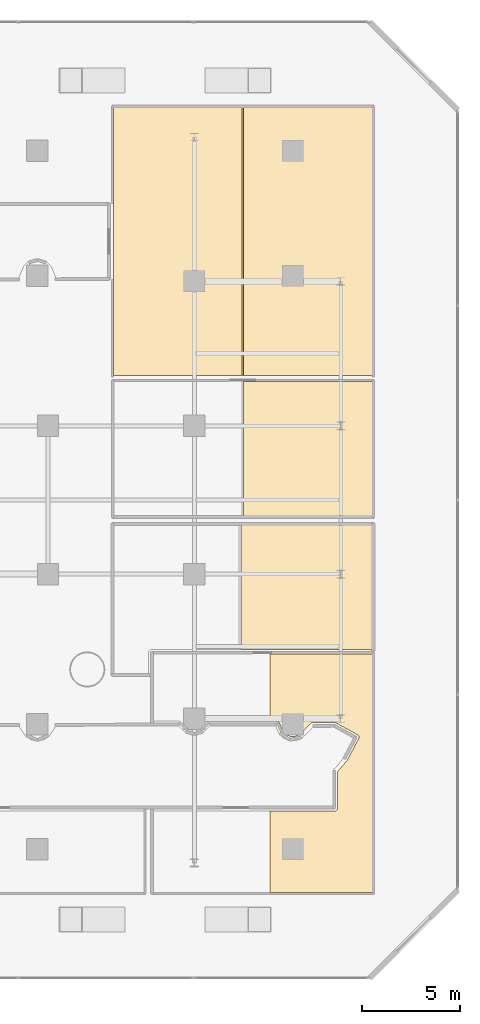
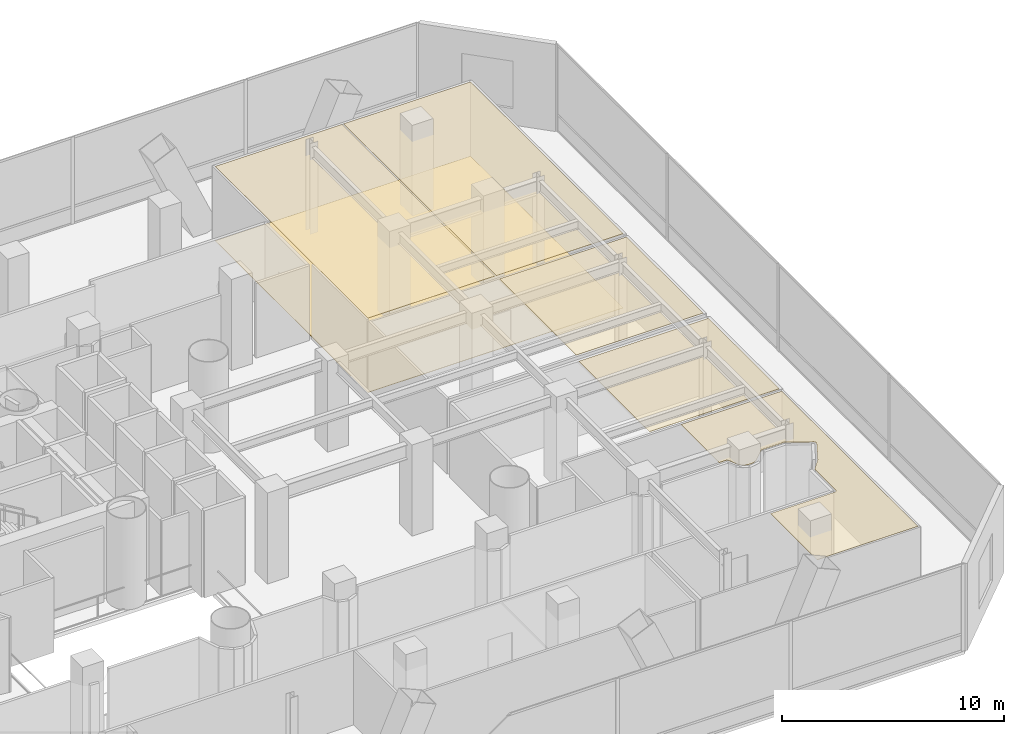
# One storey, part 42 of 42: 6 coverings.
"""IFC4 building model written with IfcOpenShell, lengths in metres."""

import ifcopenshell
import ifcopenshell.guid

model = None  # the IFC model being written
_history = None  # IfcOwnerHistory: only IFC2X3 demands one
_inside = {}  # id of a spatial element -> (the spatial element, [elements in it])
_under = {}  # id of a project, library or spatial element -> (it, [spatial elements below it])
_declared = {}  # id of a project -> (the project, [libraries it declares])
_typed = {}  # id of a type object -> (the type object, [elements of that type])
_made_of = {}  # id of a material, layer set ... -> (it, [elements and type objects made of it])


def new_model(schema):
    """Start an empty IFC model of exactly this schema.

    Asked for "IFC4X3", IfcOpenShell would pick the latest addendum, in which some entities
    have other attributes; the version numbers below select the first issue.
    IFC2X3 requires an IfcOwnerHistory on every rooted entity: one is made here for all.
    """
    global model, _history
    if schema == "IFC4X3":
        model = ifcopenshell.file(schema_version=(4, 3, 0, 0))
    else:
        model = ifcopenshell.file(schema=schema)
    _inside.clear()
    _under.clear()
    _declared.clear()
    _typed.clear()
    _made_of.clear()
    _history = None
    if model.schema == "IFC2X3":
        org = make("IfcOrganization", Name="unknown")
        user = make(
            "IfcPersonAndOrganization",
            ThePerson=make("IfcPerson", FamilyName="unknown"),
            TheOrganization=org,
        )
        app = make(
            "IfcApplication",
            ApplicationDeveloper=org,
            Version="unknown",
            ApplicationFullName="unknown",
            ApplicationIdentifier="unknown",
        )
        _history = make(
            "IfcOwnerHistory",
            OwningUser=user,
            OwningApplication=app,
            ChangeAction="ADDED",
            CreationDate=0,
        )
    return model


def make(cls, **values):
    """One entity of the class cls with the attributes given. An attribute that is None is left unset."""
    return model.create_entity(
        cls, **{name: value for name, value in values.items() if value is not None}
    )


def rooted(cls, **values):
    """An entity with a GlobalId (a new one), such as an element, a storey or a relation."""
    return make(cls, GlobalId=ifcopenshell.guid.new(), OwnerHistory=_history, **values)


def si_unit(unit_type, name, prefix=None):
    """IfcSIUnit, for example si_unit("LENGTHUNIT", "METRE", prefix="MILLI")."""
    return make("IfcSIUnit", UnitType=unit_type, Prefix=prefix, Name=name)


def assignment(units):
    """IfcUnitAssignment: the units of a project."""
    return None if units is None else make("IfcUnitAssignment", Units=units)


def point(xyz):
    """IfcCartesianPoint."""
    return None if xyz is None else make("IfcCartesianPoint", Coordinates=xyz)


def direction(xyz):
    """IfcDirection."""
    return None if xyz is None else make("IfcDirection", DirectionRatios=xyz)


def frame(location, z_axis=None, x_axis=None):
    """IfcAxis2Placement3D, a coordinate frame: its origin and axes. An axis left out is left unset."""
    return make(
        "IfcAxis2Placement3D",
        Location=point(location),
        Axis=direction(z_axis),
        RefDirection=direction(x_axis),
    )


def origin():
    """The frame at (0, 0, 0) with its axes left unset."""
    return frame((0.0, 0.0, 0.0))


def place(relative_to, where):
    """IfcLocalPlacement: puts the frame where relative to a parent placement (None: the world)."""
    return make(
        "IfcLocalPlacement", PlacementRelTo=relative_to, RelativePlacement=where
    )


def context(
    kind, dimensions, precision=None, world=None, true_north=None, identifier=None
):
    """IfcGeometricRepresentationContext, for example the 3D "Model" context."""
    return make(
        "IfcGeometricRepresentationContext",
        ContextIdentifier=identifier,
        ContextType=kind,
        CoordinateSpaceDimension=dimensions,
        Precision=precision,
        WorldCoordinateSystem=world,
        TrueNorth=true_north,
    )


def subcontext(parent, identifier, kind, view, scale=None):
    """IfcGeometricRepresentationSubContext, for example "Body" below "Model"."""
    return make(
        "IfcGeometricRepresentationSubContext",
        ContextIdentifier=identifier,
        ContextType=kind,
        ParentContext=parent,
        TargetScale=scale,
        TargetView=view,
    )


def project(units=None, contexts=None):
    """IfcProject with its units and contexts."""
    return rooted(
        "IfcProject",
        Name="project",
        RepresentationContexts=contexts,
        UnitsInContext=assignment(units),
    )


def spatial(cls, under=None, at=None, **own):
    """A site, building, storey or space (cls), placed at a placement, below another one or the project."""
    s = rooted(cls, ObjectPlacement=at, **own)
    if under is not None:
        _under.setdefault(under.id(), (under, []))[1].append(s)
    return s


def polyline(points):
    """IfcPolyline through the points."""
    return make("IfcPolyline", Points=[point(p) for p in points])


def outline(outer, holes=None, kind="AREA"):
    """IfcArbitraryClosedProfileDef: a profile drawn as a closed curve; with holes, ...WithVoids."""
    if holes is None:
        return make("IfcArbitraryClosedProfileDef", ProfileType=kind, OuterCurve=outer)
    return make(
        "IfcArbitraryProfileDefWithVoids",
        ProfileType=kind,
        OuterCurve=outer,
        InnerCurves=holes,
    )


def extrude(swept, where, along, depth):
    """IfcExtrudedAreaSolid: the profile swept, set in the frame where, extruded along a direction by depth."""
    return make(
        "IfcExtrudedAreaSolid",
        SweptArea=swept,
        Position=where,
        ExtrudedDirection=direction(along),
        Depth=depth,
    )


def shape(context_of_items, identifier, shape_type, items):
    """IfcShapeRepresentation: the items that make up one representation, for example the "Body"."""
    return make(
        "IfcShapeRepresentation",
        ContextOfItems=context_of_items,
        RepresentationIdentifier=identifier,
        RepresentationType=shape_type,
        Items=items,
    )


def material(Name=None, Category=None):
    """IfcMaterial."""
    return make("IfcMaterial", Name=Name, Category=Category)


def layer(
    of_material, thickness, ventilated=None, Name=None, Category=None, Priority=None
):
    """IfcMaterialLayer: one layer of a wall or slab, of a material (None: an air gap)."""
    return make(
        "IfcMaterialLayer",
        Material=of_material,
        LayerThickness=thickness,
        IsVentilated=ventilated,
        Name=Name,
        Category=Category,
        Priority=Priority,
    )


def layer_set(layers, Name=None):
    """IfcMaterialLayerSet."""
    return make("IfcMaterialLayerSet", MaterialLayers=layers, LayerSetName=Name)


def made_of(thing, what):
    """Note that an element or type object is made of a material, layer set ...; save() writes the relation."""
    if what is not None:
        _made_of.setdefault(what.id(), (what, []))[1].append(thing)
    return thing


def type_object(cls, material=None, **own):
    """A type object (cls), such as IfcWallType, which elements share."""
    return made_of(rooted(cls, **own), material)


def element(
    cls,
    number,
    at=None,
    inside=None,
    cuts=None,
    type_object=None,
    material=None,
    context=None,
    identifier="Body",
    shape_type=None,
    held_by="IfcProductDefinitionShape",
    body=None,
    shapes=None,
    **own,
):
    """One element of the class cls, such as IfcWall. Its Tag is "e" and its number.

    at: its placement. inside: the storey or other place that contains it. cuts: it is an
    opening in that element (IfcRelVoidsElement). A single representation is given by context,
    identifier, shape_type and body (its items); several are given by shapes. held_by: the class
    of the entity that holds the representations. save() writes the other relations.
    """
    e = rooted(cls, Tag="e%d" % number, ObjectPlacement=at, **own)
    if body is not None:
        shapes = [shape(context, identifier, shape_type, body)]
    if shapes is not None:
        e.Representation = make(held_by, Representations=shapes)
    if inside is not None:
        _inside.setdefault(inside.id(), (inside, []))[1].append(e)
    if cuts is not None:
        rooted(
            "IfcRelVoidsElement", RelatingBuildingElement=cuts, RelatedOpeningElement=e
        )
    if type_object is not None:
        _typed.setdefault(type_object.id(), (type_object, []))[1].append(e)
    return made_of(e, material)


def aggregate(whole, parts):
    """IfcRelAggregates: a whole, such as a stair, and the parts it consists of."""
    return rooted("IfcRelAggregates", RelatingObject=whole, RelatedObjects=parts)


def save(model, path):
    """Write the relations noted so far, then the file.

    IfcRelAggregates (storeys below a building ...), IfcRelContainedInSpatialStructure (elements
    in a storey), IfcRelDefinesByType, IfcRelAssociatesMaterial and IfcRelDeclares: one each for
    every whole, place, type object, material and project.
    """
    for whole, parts in _under.values():
        aggregate(whole, parts)
    for where, things in _inside.values():
        rooted(
            "IfcRelContainedInSpatialStructure",
            RelatedElements=things,
            RelatingStructure=where,
        )
    for kind, things in _typed.values():
        rooted("IfcRelDefinesByType", RelatedObjects=things, RelatingType=kind)
    for what, things in _made_of.values():
        rooted("IfcRelAssociatesMaterial", RelatedObjects=things, RelatingMaterial=what)
    for by, libraries in _declared.values():
        rooted("IfcRelDeclares", RelatingContext=by, RelatedDefinitions=libraries)
    model.write(path)


model = new_model("IFC4")

# Units and contexts
model_context = context("Model", 3, precision=1e-05, world=origin(), true_north=direction((0.0, 1.0)))
body_context = subcontext(model_context, "Body", "Model", "MODEL_VIEW")
ifc_project = project(units=[si_unit("LENGTHUNIT", "METRE"), si_unit("AREAUNIT", "SQUARE_METRE"), si_unit("VOLUMEUNIT", "CUBIC_METRE"), si_unit("PLANEANGLEUNIT", "RADIAN"), si_unit("MASSUNIT", "GRAM", prefix="KILO")], contexts=[model_context])

# Site, building, storey
site_placement = place(None, origin())
site = spatial("IfcSite", under=ifc_project, at=site_placement, CompositionType="ELEMENT")
building_placement = place(site_placement, origin())
building = spatial("IfcBuilding", under=site, at=building_placement, Name="Qianvela Tower", CompositionType="ELEMENT")
storey_placement = place(building_placement, frame((0.0, 0.0, 6.0)))
storey = spatial("IfcBuildingStorey", under=building, at=storey_placement, Name="L01", CompositionType="ELEMENT", Elevation=6.0)

# Coverings
ifc_material_1 = material(Name="Perforated Mineral Acoustic Ceiling Tile")
ifc_layer_1 = layer(ifc_material_1, 0.02490234375)
ifc_layer_set_1 = layer_set([ifc_layer_1], Name="Perforated Mineral Acoustic Ceiling Tile")
covering_type_1 = type_object("IfcCoveringType", Name="COV-CEIL-ACOUSTIC-25", PredefinedType="CEILING", material=ifc_layer_set_1)
covering_1_placement = place(storey_placement, frame((0.0, 0.0, 4.074951171875)))
element("IfcCovering", 1, at=covering_1_placement, inside=storey, type_object=covering_type_1, Name="L01 Acoustic Ceiling Bay 2 L01 Quiet Reading Study Lounge", PredefinedType="CEILING", context=body_context, shape_type="SweptSolid", body=[
    extrude(outline(polyline([(63.885986328125, 5.8798828125), (63.885986328125, 10.059814453125), (67.218017578125, 10.060791015625), (67.226318359375, 10.06103515625), (67.234619140625, 10.0625), (67.242431640625, 10.064453125), (67.250244140625, 10.0673828125), (67.257568359375, 10.0712890625), (67.2646484375, 10.07568359375), (67.27099609375, 10.080810546875), (67.277099609375, 10.086669921875), (67.2822265625, 10.093017578125), (67.326416015625, 10.15234375), (67.3310546875, 10.159423828125), (67.3349609375, 10.1669921875), (67.337890625, 10.1748046875), (67.340087890625, 10.18310546875), (67.341552734375, 10.19140625), (67.342041015625, 10.199951171875), (67.342041015625, 12.08984375), (67.817138671875, 12.63525390625), (67.82275390625, 12.642578125), (67.82763671875, 12.650390625), (68.435791015625, 13.802734375), (68.439208984375, 13.810302734375), (68.44189453125, 13.81787109375), (68.443603515625, 13.82568359375), (68.44482421875, 13.833984375), (68.445068359375, 13.842041015625), (68.4443359375, 13.85009765625), (68.443115234375, 13.858154296875), (68.440673828125, 13.865966796875), (68.437744140625, 13.87353515625), (68.43408203125, 13.880859375), (68.40185546875, 13.935302734375), (68.397216796875, 13.9423828125), (68.3916015625, 13.94921875), (68.385498046875, 13.955078125), (68.378662109375, 13.96044921875), (68.37109375, 13.965087890625), (67.220947265625, 14.59228515625), (67.213623046875, 14.595703125), (67.206298828125, 14.598388671875), (67.1982421875, 14.6005859375), (67.1904296875, 14.601806640625), (67.182373046875, 14.60205078125), (66.0517578125, 14.596923828125), (66.0439453125, 14.596435546875), (66.036376953125, 14.59521484375), (66.02880859375, 14.593505859375), (66.021484375, 14.5908203125), (66.0146484375, 14.587646484375), (66.008056640625, 14.58349609375), (66.001708984375, 14.5791015625), (65.99609375, 14.573974609375), (65.392333984375, 13.980224609375), (65.16650390625, 13.88671875), (64.922607421875, 13.88671875), (64.697265625, 13.980224609375), (64.524658203125, 14.152587890625), (64.341064453125, 14.595458984375), (64.337646484375, 14.6025390625), (64.33349609375, 14.609375), (64.328857421875, 14.615478515625), (64.323486328125, 14.621337890625), (64.31787109375, 14.626708984375), (64.3115234375, 14.63134765625), (64.2626953125, 14.663818359375), (64.256103515625, 14.66796875), (64.248779296875, 14.671142578125), (64.241455078125, 14.673828125), (64.23388671875, 14.67578125), (64.22607421875, 14.677001953125), (64.21826171875, 14.67724609375), (63.885986328125, 14.676513671875), (63.885986328125, 18.1201171875), (69.1201171875, 18.1201171875), (69.1201171875, 5.8798828125), (63.885986328125, 5.8798828125)])), origin(), (0.0, 0.0, 1.0), 0.025146484375),
])
covering_2_placement = place(storey_placement, frame((0.0, 0.0, 4.074951171875)))
element("IfcCovering", 2, at=covering_2_placement, inside=storey, type_object=covering_type_1, Name="L01 Acoustic Ceiling Bay 2 L01 Central Production Kitchen", PredefinedType="CEILING", context=body_context, shape_type="SweptSolid", body=[
    extrude(outline(polyline([(62.3798828125, 18.341796875), (62.3798828125, 24.719970703125), (69.1201171875, 24.719970703125), (69.1201171875, 18.342041015625), (62.3798828125, 18.341796875)])), origin(), (0.0, 0.0, 1.0), 0.025146484375),
])
covering_3_placement = place(storey_placement, frame((0.0, 0.0, 4.074951171875)))
element("IfcCovering", 3, at=covering_3_placement, inside=storey, type_object=covering_type_1, Name="L01 Acoustic Ceiling Bay 2 L01 Commons Seminar Room East", PredefinedType="CEILING", context=body_context, shape_type="SweptSolid", body=[
    extrude(outline(polyline([(62.530029296875, 25.179931640625), (62.530029296875, 32.080078125), (69.1201171875, 32.080078125), (69.1201171875, 25.179931640625), (62.530029296875, 25.179931640625)])), origin(), (0.0, 0.0, 1.0), 0.025146484375),
])
covering_4_placement = place(storey_placement, frame((0.0, 0.0, 4.074951171875)))
element("IfcCovering", 4, at=covering_4_placement, inside=storey, type_object=covering_type_1, Name="L01 Acoustic Ceiling Bay 1 L01 Academic Advising Office East", PredefinedType="CEILING", context=body_context, shape_type="SweptSolid", body=[
    extrude(outline(polyline([(55.860107421875, 32.3798828125), (55.860107421875, 46.1201171875), (62.449951171875, 46.1201171875), (62.449951171875, 32.3798828125), (55.860107421875, 32.3798828125)])), origin(), (0.0, 0.0, 1.0), 0.025146484375),
])
covering_5_placement = place(storey_placement, frame((0.0, 0.0, 4.074951171875)))
element("IfcCovering", 5, at=covering_5_placement, inside=storey, type_object=covering_type_1, Name="L01 Acoustic Ceiling Bay 2 L01 Academic Advising Office East", PredefinedType="CEILING", context=body_context, shape_type="SweptSolid", body=[
    extrude(outline(polyline([(62.530029296875, 32.3798828125), (62.530029296875, 46.1201171875), (69.1201171875, 46.1201171875), (69.1201171875, 32.3798828125), (62.530029296875, 32.3798828125)])), origin(), (0.0, 0.0, 1.0), 0.025146484375),
])
ifc_material_2 = material(Name="Engineered Acoustic Oak Timber Flooring", Category="wood")
ifc_layer_2 = layer(ifc_material_2, 0.02001953125)
ifc_layer_set_2 = layer_set([ifc_layer_2], Name="Engineered Acoustic Oak Timber Flooring")
covering_type_2 = type_object("IfcCoveringType", Name="COV-FLOOR-OAK-20", PredefinedType="FLOORING", material=ifc_layer_set_2)
covering_6_placement = place(storey_placement, origin())
element("IfcCovering", 6, at=covering_6_placement, inside=storey, type_object=covering_type_2, Name="L01 Finish Flooring L01 Academic Advising Office East", PredefinedType="FLOORING", context=body_context, shape_type="SweptSolid", body=[
    extrude(outline(polyline([(69.1201171875, 32.3798828125), (55.860107421875, 32.3798828125), (55.860107421875, 46.1201171875), (69.1201171875, 46.1201171875), (69.1201171875, 32.3798828125)])), origin(), (0.0, 0.0, 1.0), 0.02001953125),
])

save(model, "model.ifc")
